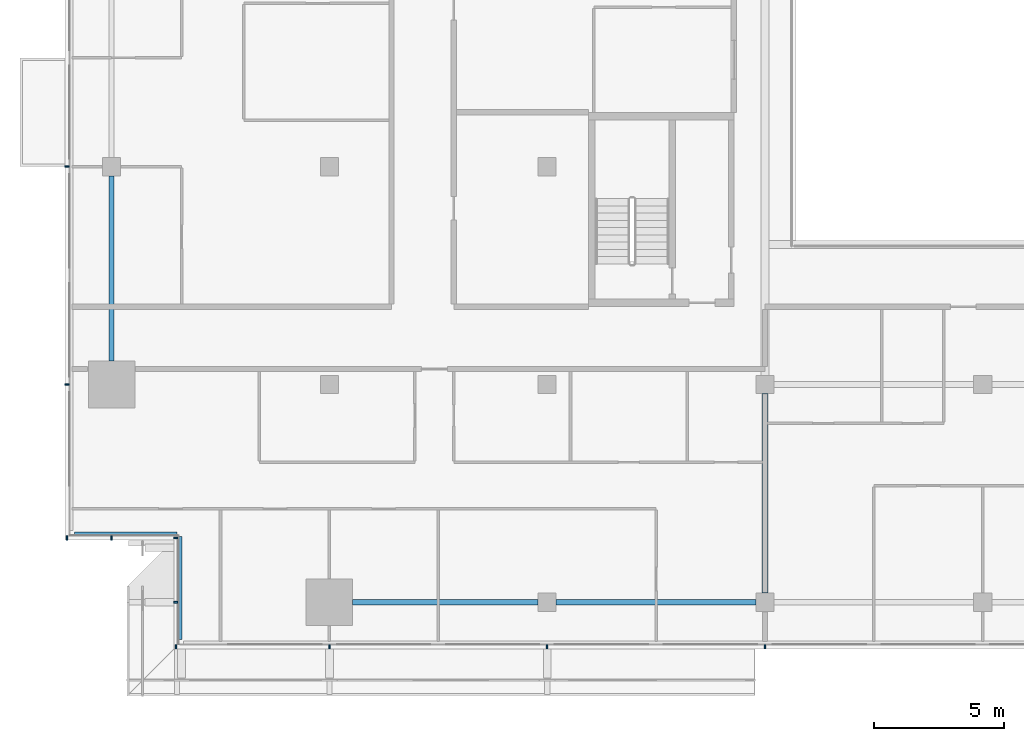
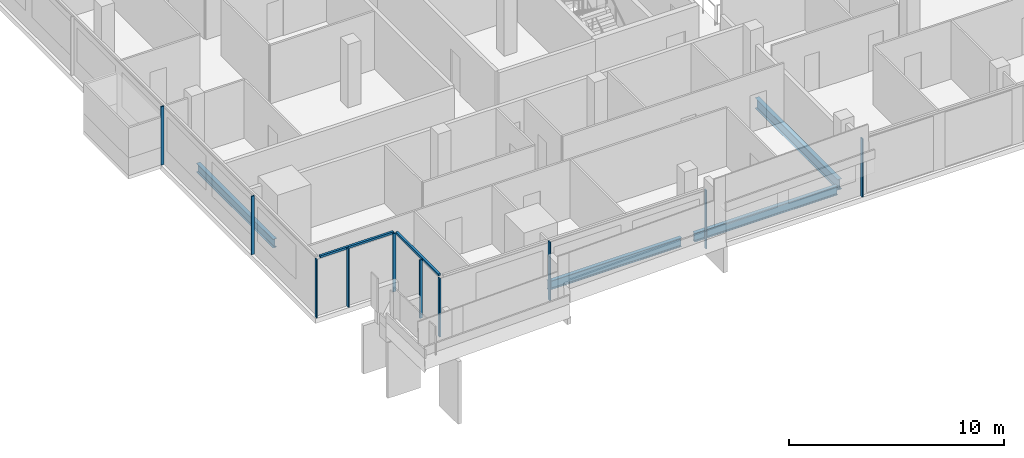
# One storey, part 2 of 30: 12 members, 4 beams, 4 elements without a shape of their own.
"""IFC4 building model written with IfcOpenShell, lengths in metres."""

from ifc_helpers import new_model, si_unit, direction, frame, origin, origin_2d, place, context, subcontext, project, spatial, rectangle, i_section, extrude, material, material_profile, profile_set, type_object, element, aggregate, save


model = new_model("IFC4")

# Units and contexts
model_context = context("Model", 3, precision=1e-05, world=origin(), true_north=direction((0.0, 1.0)))
body_context = subcontext(model_context, "Body", "Model", "MODEL_VIEW")
ifc_project = project(units=[si_unit("LENGTHUNIT", "METRE"), si_unit("AREAUNIT", "SQUARE_METRE"), si_unit("VOLUMEUNIT", "CUBIC_METRE"), si_unit("PLANEANGLEUNIT", "RADIAN"), si_unit("MASSUNIT", "GRAM", prefix="KILO")], contexts=[model_context])

# Site, building, storey
site_placement = place(None, origin())
site = spatial("IfcSite", under=ifc_project, at=site_placement, CompositionType="ELEMENT")
building_placement = place(site_placement, origin())
building = spatial("IfcBuilding", under=site, at=building_placement, Name="Saffron Gate Tower", CompositionType="ELEMENT")
storey_placement = place(building_placement, frame((0.0, 0.0, 169.050048828125)))
storey = spatial("IfcBuildingStorey", under=building, at=storey_placement, Name="L41", CompositionType="ELEMENT", Elevation=169.050048828125)

# Beams
ifc_material_1 = material(Name="Structural steel S355", Category="steel")
ifc_material_profile_1 = material_profile(ifc_material_1, i_section(OverallWidth=0.199951171875, OverallDepth=0.5, WebThickness=0.01025390625, FlangeThickness=0.01611328125, FilletRadius=0.02099609375, at=origin_2d()))
ifc_profile_set_1 = profile_set([ifc_material_profile_1], Name="Structural steel S355")
beam_type_1 = type_object("IfcBeamType", Name="B11 IPE 500", PredefinedType="SPANDREL", material=ifc_profile_set_1)
for number, where, z_axis, x_axis, name in (
    (1, (49.800048828125, 41.10009765625, -0.530029296875), (0.0, 1.0, 0.0), (-1.0, 0.0, 0.0), "B11 SPANDREL BEAM"),
    (2, (59.10009765625, 31.800048828125, -0.530029296875), (1.0, 0.0, 0.0), (0.0, 1.0, 0.0), "B11 SPANDREL BEAM"),
):
    element("IfcBeam", number, at=place(storey_placement, frame(where, z_axis=z_axis, x_axis=x_axis)), inside=storey, type_object=beam_type_1, Name=name, PredefinedType="SPANDREL", context=body_context, shape_type="SweptSolid", body=[
        extrude(i_section(OverallWidth=0.199951171875, OverallDepth=0.5, WebThickness=0.01025390625, FlangeThickness=0.01611328125, FilletRadius=0.02099609375, at=origin_2d()), origin(), (0.0, 0.0, 1.0), 7.14990234375),
    ])
beam_1_placement = place(storey_placement, frame((66.949951171875, 31.800048828125, -0.530029296875), z_axis=(1.0, 0.0, 0.0), x_axis=(0.0, 1.0, 0.0)))
element("IfcBeam", 3, at=beam_1_placement, inside=storey, type_object=beam_type_1, Name="B11 SPANDREL BEAM", PredefinedType="SPANDREL", context=body_context, shape_type="SweptSolid", body=[
    extrude(i_section(OverallWidth=0.199951171875, OverallDepth=0.5, WebThickness=0.01025390625, FlangeThickness=0.01611328125, FilletRadius=0.02099609375, at=origin_2d()), origin(), (0.0, 0.0, 1.0), 7.699951171875),
])
ifc_material_profile_2 = material_profile(ifc_material_1, i_section(OverallWidth=0.219970703125, OverallDepth=0.60009765625, WebThickness=0.011962890625, FlangeThickness=0.01904296875, FilletRadius=0.02392578125, at=origin_2d()))
ifc_profile_set_2 = profile_set([ifc_material_profile_2], Name="Structural steel S355")
beam_type_2 = type_object("IfcBeamType", Name="B15 IPE 600", PredefinedType="BEAM", material=ifc_profile_set_2)
beam_2_placement = place(storey_placement, frame((75.0, 32.14990234375, -0.580078125), z_axis=(0.0, 1.0, 0.0), x_axis=(-1.0, 0.0, 0.0)))
element("IfcBeam", 4, at=beam_2_placement, inside=storey, type_object=beam_type_2, Name="B15 FLOOR GIRDER", PredefinedType="BEAM", context=body_context, shape_type="SweptSolid", body=[
    extrude(i_section(OverallWidth=0.219970703125, OverallDepth=0.60009765625, WebThickness=0.011962890625, FlangeThickness=0.01904296875, FilletRadius=0.02392578125, at=origin_2d()), origin(), (0.0, 0.0, 1.0), 7.7001953125),
])

# Curtain wall, members
ifc_material_2 = material(Name="Aluminium, bronze anodised", Category="aluminium")
curtain_wall_type_1 = type_object("IfcCurtainWallType", Name="CWS1 curtain wall front facade", PredefinedType="NOTDEFINED", material=ifc_material_2)
curtain_wall_1_placement = place(storey_placement, origin())
curtain_wall_1 = element("IfcCurtainWall", 5, at=curtain_wall_1_placement, inside=storey, type_object=curtain_wall_type_1, Name="CWS1 run 1", PredefinedType="NOTDEFINED")
ifc_material_profile_3 = material_profile(ifc_material_2, rectangle(XDim=0.159912109375, YDim=0.06005859375, at=origin_2d()))
ifc_profile_set_3 = profile_set([ifc_material_profile_3], Name="Aluminium, bronze anodised")
member_type_1 = type_object("IfcMemberType", Name="CWS1 mullion 60x160", PredefinedType="MULLION", material=ifc_profile_set_3)
member_1_placement = place(storey_placement, frame((52.280029296875, 30.080078125, 0.0), z_axis=(0.0, 0.0, 1.0), x_axis=(0.0, 1.0, 0.0)))
member_1 = element("IfcMember", 6, at=member_1_placement, type_object=member_type_1, Name="CWS1 mullion 1", PredefinedType="MULLION", context=body_context, shape_type="SweptSolid", body=[
    extrude(rectangle(XDim=0.159912109375, YDim=0.06005859375, at=origin_2d()), origin(), (0.0, 0.0, 1.0), 3.320068359375),
])
member_2_placement = place(storey_placement, frame((58.199951171875, 30.080078125, 0.0), z_axis=(0.0, 0.0, 1.0), x_axis=(0.0, 1.0, 0.0)))
member_2 = element("IfcMember", 7, at=member_2_placement, type_object=member_type_1, Name="CWS1 mullion 2", PredefinedType="MULLION", context=body_context, shape_type="SweptSolid", body=[
    extrude(rectangle(XDim=0.159912109375, YDim=0.06005859375, at=origin_2d()), origin(), (0.0, 0.0, 1.0), 3.320068359375),
])
member_3_placement = place(storey_placement, frame((66.60009765625, 30.080078125, 0.0), z_axis=(0.0, 0.0, 1.0), x_axis=(0.0, 1.0, 0.0)))
member_3 = element("IfcMember", 8, at=member_3_placement, type_object=member_type_1, Name="CWS1 mullion 3", PredefinedType="MULLION", context=body_context, shape_type="SweptSolid", body=[
    extrude(rectangle(XDim=0.159912109375, YDim=0.06005859375, at=origin_2d()), origin(), (0.0, 0.0, 1.0), 3.320068359375),
])
member_4_placement = place(storey_placement, frame((75.0, 30.080078125, 0.0), z_axis=(0.0, 0.0, 1.0), x_axis=(0.0, 1.0, 0.0)))
member_4 = element("IfcMember", 9, at=member_4_placement, type_object=member_type_1, Name="CWS1 mullion 4", PredefinedType="MULLION", context=body_context, shape_type="SweptSolid", body=[
    extrude(rectangle(XDim=0.159912109375, YDim=0.06005859375, at=origin_2d()), origin(), (0.0, 0.0, 1.0), 3.320068359375),
])
aggregate(curtain_wall_1, [member_1, member_2, member_3, member_4])

curtain_wall_type_2 = type_object("IfcCurtainWallType", Name="CWS2 curtain wall side facades", PredefinedType="NOTDEFINED", material=ifc_material_2)
curtain_wall_2_placement = place(storey_placement, origin())
curtain_wall_2 = element("IfcCurtainWall", 10, at=curtain_wall_2_placement, inside=storey, type_object=curtain_wall_type_2, Name="CWS2 run 10", PredefinedType="NOTDEFINED")
ifc_material_profile_4 = material_profile(ifc_material_2, rectangle(XDim=0.159912109375, YDim=0.06005859375, at=origin_2d()))
ifc_profile_set_4 = profile_set([ifc_material_profile_4], Name="Aluminium, bronze anodised")
member_type_2 = type_object("IfcMemberType", Name="CWS2 mullion 60x160", PredefinedType="MULLION", material=ifc_profile_set_4)
member_5_placement = place(storey_placement, frame((48.080078125, 48.60009765625, 0.0), z_axis=(0.0, 0.0, 1.0), x_axis=(1.0, 0.0, 0.0)))
member_5 = element("IfcMember", 11, at=member_5_placement, type_object=member_type_2, Name="CWS2 mullion 4", PredefinedType="MULLION", context=body_context, shape_type="SweptSolid", body=[
    extrude(rectangle(XDim=0.159912109375, YDim=0.06005859375, at=origin_2d()), origin(), (0.0, 0.0, 1.0), 3.320068359375),
])
member_6_placement = place(storey_placement, frame((48.080078125, 40.199951171875, 0.0), z_axis=(0.0, 0.0, 1.0), x_axis=(1.0, 0.0, 0.0)))
member_6 = element("IfcMember", 12, at=member_6_placement, type_object=member_type_2, Name="CWS2 mullion 5", PredefinedType="MULLION", context=body_context, shape_type="SweptSolid", body=[
    extrude(rectangle(XDim=0.159912109375, YDim=0.06005859375, at=origin_2d()), origin(), (0.0, 0.0, 1.0), 3.320068359375),
])
aggregate(curtain_wall_2, [member_5, member_6])

# Curtain wall, member
curtain_wall_type_3 = type_object("IfcCurtainWallType", Name="CWS4 curtain wall corner returns", PredefinedType="NOTDEFINED", material=ifc_material_2)
curtain_wall_3_placement = place(storey_placement, origin())
curtain_wall_3 = element("IfcCurtainWall", 13, at=curtain_wall_3_placement, inside=storey, type_object=curtain_wall_type_3, Name="CWS4 run 11", PredefinedType="NOTDEFINED")
ifc_material_profile_5 = material_profile(ifc_material_2, rectangle(XDim=0.1201171875, YDim=0.1201171875, at=origin_2d()))
ifc_profile_set_5 = profile_set([ifc_material_profile_5], Name="Aluminium, bronze anodised")
member_type_3 = type_object("IfcMemberType", Name="CWS4 head transom", PredefinedType="USERDEFINED", material=ifc_profile_set_5)
member_7_placement = place(storey_placement, frame((48.367919921875, 34.447998046875, 3.260009765625), z_axis=(1.0, 0.0, 0.0), x_axis=(0.0, 1.0, 0.0)))
member_7 = element("IfcMember", 14, at=member_7_placement, type_object=member_type_3, Name="CWS4 head transom", ObjectType="TRANSOM", PredefinedType="USERDEFINED", context=body_context, shape_type="SweptSolid", body=[
    extrude(rectangle(XDim=0.1201171875, YDim=0.1201171875, at=origin_2d()), origin(), (0.0, 0.0, 1.0), 3.9599609375),
])

curtain_wall_4_placement = place(storey_placement, origin())
curtain_wall_4 = element("IfcCurtainWall", 15, at=curtain_wall_4_placement, inside=storey, type_object=curtain_wall_type_3, Name="CWS4 run 12", PredefinedType="NOTDEFINED")
member_8_placement = place(storey_placement, frame((52.447998046875, 34.327880859375, 3.260009765625), z_axis=(0.0, -1.0, 0.0), x_axis=(1.0, 0.0, 0.0)))
member_8 = element("IfcMember", 16, at=member_8_placement, type_object=member_type_3, Name="CWS4 head transom", ObjectType="TRANSOM", PredefinedType="USERDEFINED", context=body_context, shape_type="SweptSolid", body=[
    extrude(rectangle(XDim=0.1201171875, YDim=0.1201171875, at=origin_2d()), origin(), (0.0, 0.0, 1.0), 3.9599609375),
])

# Member
ifc_material_profile_6 = material_profile(ifc_material_2, rectangle(XDim=0.159912109375, YDim=0.06005859375, at=origin_2d()))
ifc_profile_set_6 = profile_set([ifc_material_profile_6], Name="Aluminium, bronze anodised")
member_type_4 = type_object("IfcMemberType", Name="CWS4 mullion 60x160", PredefinedType="MULLION", material=ifc_profile_set_6)
member_9_placement = place(storey_placement, frame((48.080078125, 34.280029296875, 0.0), z_axis=(0.0, 0.0, 1.0), x_axis=(0.0, 1.0, 0.0)))
member_9 = element("IfcMember", 17, at=member_9_placement, type_object=member_type_4, Name="CWS4 mullion 1", PredefinedType="MULLION", context=body_context, shape_type="SweptSolid", body=[
    extrude(rectangle(XDim=0.159912109375, YDim=0.06005859375, at=origin_2d()), origin(), (0.0, 0.0, 1.0), 3.320068359375),
])

member_10_placement = place(storey_placement, frame((49.800048828125, 34.280029296875, 0.0), z_axis=(0.0, 0.0, 1.0), x_axis=(0.0, 1.0, 0.0)))
member_10 = element("IfcMember", 18, at=member_10_placement, type_object=member_type_4, Name="CWS4 mullion 2", PredefinedType="MULLION", context=body_context, shape_type="SweptSolid", body=[
    extrude(rectangle(XDim=0.159912109375, YDim=0.06005859375, at=origin_2d()), origin(), (0.0, 0.0, 1.0), 3.320068359375),
])

aggregate(curtain_wall_3, [member_9, member_10, member_7])

member_11_placement = place(storey_placement, frame((52.280029296875, 34.280029296875, 0.0), z_axis=(0.0, 0.0, 1.0), x_axis=(1.0, 0.0, 0.0)))
member_11 = element("IfcMember", 19, at=member_11_placement, type_object=member_type_4, Name="CWS4 mullion 1", PredefinedType="MULLION", context=body_context, shape_type="SweptSolid", body=[
    extrude(rectangle(XDim=0.159912109375, YDim=0.06005859375, at=origin_2d()), origin(), (0.0, 0.0, 1.0), 3.320068359375),
])

member_12_placement = place(storey_placement, frame((52.280029296875, 31.800048828125, 0.0), z_axis=(0.0, 0.0, 1.0), x_axis=(1.0, 0.0, 0.0)))
member_12 = element("IfcMember", 20, at=member_12_placement, type_object=member_type_4, Name="CWS4 mullion 2", PredefinedType="MULLION", context=body_context, shape_type="SweptSolid", body=[
    extrude(rectangle(XDim=0.159912109375, YDim=0.06005859375, at=origin_2d()), origin(), (0.0, 0.0, 1.0), 3.320068359375),
])

aggregate(curtain_wall_4, [member_11, member_12, member_8])

save(model, "model.ifc")
